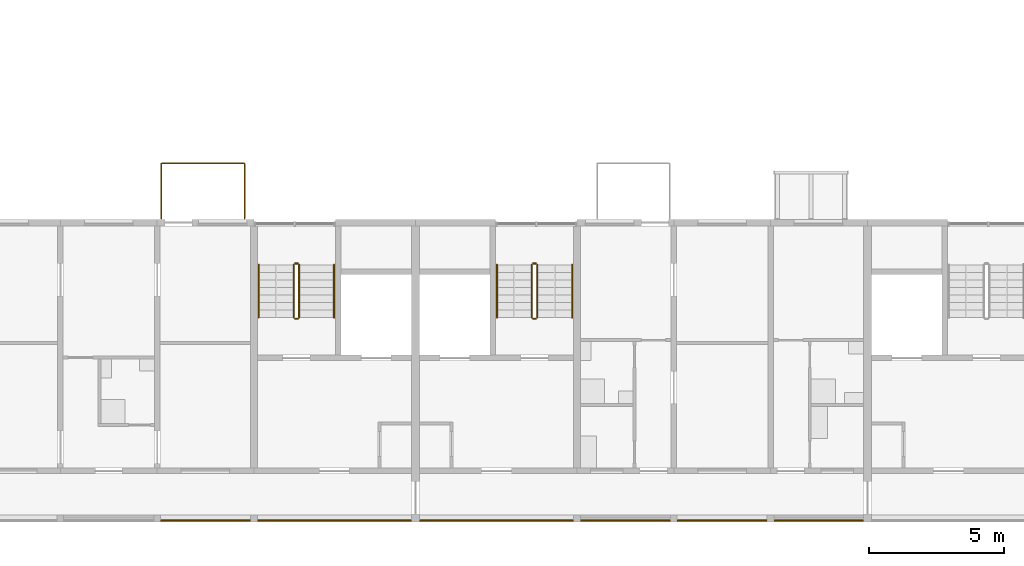
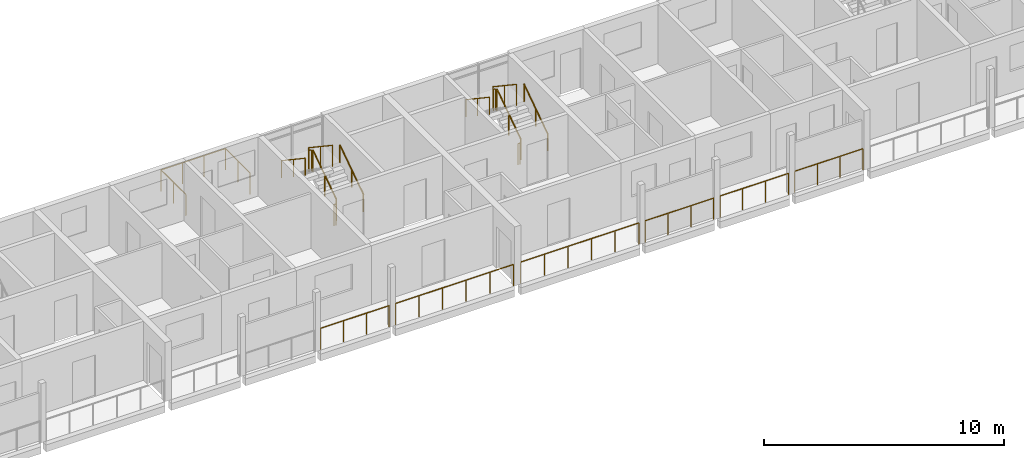
# One storey, part 88 of 94: 19 railings.
"""IFC4 building model written with IfcOpenShell, lengths in metres."""

from ifc_helpers import new_model, si_unit, direction, frame, origin, origin_2d, place, context, subcontext, project, spatial, circle, extrude, material, type_object, element, save


model = new_model("IFC4")

# Units and contexts
model_context = context("Model", 3, precision=1e-05, world=origin(), true_north=direction((0.0, 1.0)))
body_context = subcontext(model_context, "Body", "Model", "MODEL_VIEW")
ifc_project = project(units=[si_unit("LENGTHUNIT", "METRE"), si_unit("AREAUNIT", "SQUARE_METRE"), si_unit("VOLUMEUNIT", "CUBIC_METRE"), si_unit("PLANEANGLEUNIT", "RADIAN"), si_unit("MASSUNIT", "GRAM", prefix="KILO")], contexts=[model_context])

# Site, building, storey
site_placement = place(None, origin())
site = spatial("IfcSite", under=ifc_project, at=site_placement, CompositionType="ELEMENT")
building_placement = place(site_placement, origin())
building = spatial("IfcBuilding", under=site, at=building_placement, Name="Ridgestep Commons", CompositionType="ELEMENT")
storey_placement = place(building_placement, frame((0.0, 0.0, 24.0)))
storey = spatial("IfcBuildingStorey", under=building, at=storey_placement, Name="L08", CompositionType="ELEMENT", Elevation=24.0)

# Railings
ifc_material_1 = material(Name="Structural steel S355JR", Category="steel")
railing_type_1 = type_object("IfcRailingType", Name="Guard 1100", PredefinedType="GUARDRAIL", material=ifc_material_1)
railing_1_placement = place(storey_placement, frame((204.5458984375, 11.800048828125, 0.0)))
element("IfcRailing", 1, at=railing_1_placement, inside=storey, type_object=railing_type_1, Name="Gallery guard D 08.15", PredefinedType="GUARDRAIL", context=body_context, shape_type="SweptSolid", body=[
    extrude(circle(Radius=0.02392578125, at=origin_2d()), frame((0.0, 0.0, 1.076171875), z_axis=(1.0, 0.0, 0.0), x_axis=(0.0, 1.0, 0.0)), (0.0, 0.0, 1.0), 3.30810546875),
    extrude(circle(Radius=0.02099609375, at=origin_2d()), origin(), (0.0, 0.0, 1.0), 1.052001953125),
    extrude(circle(Radius=0.02099609375, at=origin_2d()), frame((1.102783203125, 0.0, 0.0)), (0.0, 0.0, 1.0), 1.052001953125),
    extrude(circle(Radius=0.02099609375, at=origin_2d()), frame((2.205322265625, 0.0, 0.0)), (0.0, 0.0, 1.0), 1.052001953125),
    extrude(circle(Radius=0.02099609375, at=origin_2d()), frame((3.30810546875, 0.0, 0.0)), (0.0, 0.0, 1.0), 1.052001953125),
])
for number, where, name in (
    (2, (208.14599609375, 11.800048828125, 0.0), "Gallery guard D 08.16"),
    (3, (214.1708984375, 11.800048828125, 0.0), "Gallery guard D 08.17"),
):
    element("IfcRailing", number, at=place(storey_placement, frame(where)), inside=storey, type_object=railing_type_1, Name=name, PredefinedType="GUARDRAIL", context=body_context, shape_type="SweptSolid", body=[
        extrude(circle(Radius=0.02392578125, at=origin_2d()), frame((0.0, 0.0, 1.076171875), z_axis=(1.0, 0.0, 0.0), x_axis=(0.0, 1.0, 0.0)), (0.0, 0.0, 1.0), 5.68310546875),
        extrude(circle(Radius=0.02099609375, at=origin_2d()), origin(), (0.0, 0.0, 1.0), 1.052001953125),
        extrude(circle(Radius=0.02099609375, at=origin_2d()), frame((1.13671875, 0.0, 0.0)), (0.0, 0.0, 1.0), 1.052001953125),
        extrude(circle(Radius=0.02099609375, at=origin_2d()), frame((2.273193359375, 0.0, 0.0)), (0.0, 0.0, 1.0), 1.052001953125),
        extrude(circle(Radius=0.02099609375, at=origin_2d()), frame((3.409912109375, 0.0, 0.0)), (0.0, 0.0, 1.0), 1.052001953125),
        extrude(circle(Radius=0.02099609375, at=origin_2d()), frame((4.54638671875, 0.0, 0.0)), (0.0, 0.0, 1.0), 1.052001953125),
        extrude(circle(Radius=0.02099609375, at=origin_2d()), frame((5.68310546875, 0.0, 0.0)), (0.0, 0.0, 1.0), 1.052001953125),
    ])
railing_2_placement = place(storey_placement, frame((220.14599609375, 11.800048828125, 0.0)))
element("IfcRailing", 4, at=railing_2_placement, inside=storey, type_object=railing_type_1, Name="Gallery guard D 08.18", PredefinedType="GUARDRAIL", context=body_context, shape_type="SweptSolid", body=[
    extrude(circle(Radius=0.02392578125, at=origin_2d()), frame((0.0, 0.0, 1.076171875), z_axis=(1.0, 0.0, 0.0), x_axis=(0.0, 1.0, 0.0)), (0.0, 0.0, 1.0), 3.30810546875),
    extrude(circle(Radius=0.02099609375, at=origin_2d()), origin(), (0.0, 0.0, 1.0), 1.052001953125),
    extrude(circle(Radius=0.02099609375, at=origin_2d()), frame((1.102783203125, 0.0, 0.0)), (0.0, 0.0, 1.0), 1.052001953125),
    extrude(circle(Radius=0.02099609375, at=origin_2d()), frame((2.205322265625, 0.0, 0.0)), (0.0, 0.0, 1.0), 1.052001953125),
    extrude(circle(Radius=0.02099609375, at=origin_2d()), frame((3.30810546875, 0.0, 0.0)), (0.0, 0.0, 1.0), 1.052001953125),
])
railing_3_placement = place(storey_placement, frame((223.74609375, 11.800048828125, 0.0)))
element("IfcRailing", 5, at=railing_3_placement, inside=storey, type_object=railing_type_1, Name="Gallery guard D 08.19", PredefinedType="GUARDRAIL", context=body_context, shape_type="SweptSolid", body=[
    extrude(circle(Radius=0.02392578125, at=origin_2d()), frame((0.0, 0.0, 1.076171875), z_axis=(1.0, 0.0, 0.0), x_axis=(0.0, 1.0, 0.0)), (0.0, 0.0, 1.0), 3.307861328125),
    extrude(circle(Radius=0.02099609375, at=origin_2d()), origin(), (0.0, 0.0, 1.0), 1.052001953125),
    extrude(circle(Radius=0.02099609375, at=origin_2d()), frame((1.1025390625, 0.0, 0.0)), (0.0, 0.0, 1.0), 1.052001953125),
    extrude(circle(Radius=0.02099609375, at=origin_2d()), frame((2.205322265625, 0.0, 0.0)), (0.0, 0.0, 1.0), 1.052001953125),
    extrude(circle(Radius=0.02099609375, at=origin_2d()), frame((3.307861328125, 0.0, 0.0)), (0.0, 0.0, 1.0), 1.052001953125),
])
railing_4_placement = place(storey_placement, frame((227.345947265625, 11.800048828125, 0.0)))
element("IfcRailing", 6, at=railing_4_placement, inside=storey, type_object=railing_type_1, Name="Gallery guard D 08.20", PredefinedType="GUARDRAIL", context=body_context, shape_type="SweptSolid", body=[
    extrude(circle(Radius=0.02392578125, at=origin_2d()), frame((0.0, 0.0, 1.076171875), z_axis=(1.0, 0.0, 0.0), x_axis=(0.0, 1.0, 0.0)), (0.0, 0.0, 1.0), 3.282958984375),
    extrude(circle(Radius=0.02099609375, at=origin_2d()), origin(), (0.0, 0.0, 1.0), 1.052001953125),
    extrude(circle(Radius=0.02099609375, at=origin_2d()), frame((1.09423828125, 0.0, 0.0)), (0.0, 0.0, 1.0), 1.052001953125),
    extrude(circle(Radius=0.02099609375, at=origin_2d()), frame((2.188720703125, 0.0, 0.0)), (0.0, 0.0, 1.0), 1.052001953125),
    extrude(circle(Radius=0.02099609375, at=origin_2d()), frame((3.282958984375, 0.0, 0.0)), (0.0, 0.0, 1.0), 1.052001953125),
])
ifc_material_2 = material(Name="Structural steel S355JR", Category="steel")
railing_type_2 = type_object("IfcRailingType", Name="Stair guard 1100", PredefinedType="GUARDRAIL", material=ifc_material_2)
railing_5_placement = place(storey_placement, frame((209.675048828125, 19.35009765625, 0.1875)))
element("IfcRailing", 7, at=railing_5_placement, inside=storey, type_object=railing_type_2, Name="L08 D4C stair guard 1", PredefinedType="GUARDRAIL", context=body_context, shape_type="SweptSolid", body=[
    extrude(circle(Radius=0.02392578125, at=origin_2d()), frame((0.0, 0.0, 1.076171875), z_axis=(0.0, 0.830902050051, 0.556418712142), x_axis=(-1.0, 0.0, 0.0)), (0.0, 0.0, 1.0), 2.35888671875),
    extrude(circle(Radius=0.02099609375, at=origin_2d()), origin(), (0.0, 0.0, 1.0), 1.052001953125),
    extrude(circle(Radius=0.02099609375, at=origin_2d()), frame((0.0, 0.97998046875, 0.65625)), (0.0, 0.0, 1.0), 1.052001953125),
    extrude(circle(Radius=0.02099609375, at=origin_2d()), frame((0.0, 1.9599609375, 1.3125)), (0.0, 0.0, 1.0), 1.052001953125),
])
railing_6_placement = place(storey_placement, frame((209.625, 21.360107421875, 1.5)))
element("IfcRailing", 8, at=railing_6_placement, inside=storey, type_object=railing_type_2, Name="L08 D4C stair guard 2", PredefinedType="GUARDRAIL", context=body_context, shape_type="SweptSolid", body=[
    extrude(circle(Radius=0.02392578125, at=origin_2d()), frame((0.0, 0.0, 1.076171875), z_axis=(-1.0, 0.0, 0.0), x_axis=(0.0, -1.0, 0.0)), (0.0, 0.0, 1.0), 0.10009765625),
    extrude(circle(Radius=0.02099609375, at=origin_2d()), origin(), (0.0, 0.0, 1.0), 1.052001953125),
    extrude(circle(Radius=0.02099609375, at=origin_2d()), frame((-0.10009765625, 0.0, 0.0)), (0.0, 0.0, 1.0), 1.052001953125),
])
railing_7_placement = place(storey_placement, frame((209.47509765625, 21.31005859375, 1.6875)))
element("IfcRailing", 9, at=railing_7_placement, inside=storey, type_object=railing_type_2, Name="L08 D4C stair guard 3", PredefinedType="GUARDRAIL", context=body_context, shape_type="SweptSolid", body=[
    extrude(circle(Radius=0.02392578125, at=origin_2d()), frame((0.0, 0.0, 1.076171875), z_axis=(0.0, -0.830902050051, 0.556418712142), x_axis=(1.0, 0.0, 0.0)), (0.0, 0.0, 1.0), 2.35888671875),
    extrude(circle(Radius=0.02099609375, at=origin_2d()), origin(), (0.0, 0.0, 1.0), 1.052001953125),
    extrude(circle(Radius=0.02099609375, at=origin_2d()), frame((0.0, -0.97998046875, 0.65625)), (0.0, 0.0, 1.0), 1.052001953125),
    extrude(circle(Radius=0.02099609375, at=origin_2d()), frame((0.0, -1.9599609375, 1.3125)), (0.0, 0.0, 1.0), 1.052001953125),
])
railing_8_placement = place(storey_placement, frame((209.625, 19.300048828125, 0.0)))
element("IfcRailing", 10, at=railing_8_placement, inside=storey, type_object=railing_type_2, Name="L08 D4C stair guard 4", PredefinedType="GUARDRAIL", context=body_context, shape_type="SweptSolid", body=[
    extrude(circle(Radius=0.02392578125, at=origin_2d()), frame((0.0, 0.0, 1.076171875), z_axis=(-1.0, 0.0, 0.0), x_axis=(0.0, -1.0, 0.0)), (0.0, 0.0, 1.0), 0.10009765625),
    extrude(circle(Radius=0.02099609375, at=origin_2d()), origin(), (0.0, 0.0, 1.0), 1.052001953125),
    extrude(circle(Radius=0.02099609375, at=origin_2d()), frame((-0.10009765625, 0.0, 0.0)), (0.0, 0.0, 1.0), 1.052001953125),
])
railing_9_placement = place(storey_placement, frame((218.52490234375, 19.35009765625, 0.1875)))
element("IfcRailing", 11, at=railing_9_placement, inside=storey, type_object=railing_type_2, Name="L08 D5C stair guard 1", PredefinedType="GUARDRAIL", context=body_context, shape_type="SweptSolid", body=[
    extrude(circle(Radius=0.02392578125, at=origin_2d()), frame((0.0, 0.0, 1.076171875), z_axis=(0.0, 0.830902050051, 0.556418712142), x_axis=(-1.0, 0.0, 0.0)), (0.0, 0.0, 1.0), 2.35888671875),
    extrude(circle(Radius=0.02099609375, at=origin_2d()), origin(), (0.0, 0.0, 1.0), 1.052001953125),
    extrude(circle(Radius=0.02099609375, at=origin_2d()), frame((0.0, 0.97998046875, 0.65625)), (0.0, 0.0, 1.0), 1.052001953125),
    extrude(circle(Radius=0.02099609375, at=origin_2d()), frame((0.0, 1.9599609375, 1.3125)), (0.0, 0.0, 1.0), 1.052001953125),
])
railing_10_placement = place(storey_placement, frame((218.47509765625, 21.360107421875, 1.5)))
element("IfcRailing", 12, at=railing_10_placement, inside=storey, type_object=railing_type_2, Name="L08 D5C stair guard 2", PredefinedType="GUARDRAIL", context=body_context, shape_type="SweptSolid", body=[
    extrude(circle(Radius=0.02392578125, at=origin_2d()), frame((0.0, 0.0, 1.076171875), z_axis=(-1.0, 0.0, 0.0), x_axis=(0.0, -1.0, 0.0)), (0.0, 0.0, 1.0), 0.10009765625),
    extrude(circle(Radius=0.02099609375, at=origin_2d()), origin(), (0.0, 0.0, 1.0), 1.052001953125),
    extrude(circle(Radius=0.02099609375, at=origin_2d()), frame((-0.10009765625, 0.0, 0.0)), (0.0, 0.0, 1.0), 1.052001953125),
])
railing_11_placement = place(storey_placement, frame((218.324951171875, 21.31005859375, 1.6875)))
element("IfcRailing", 13, at=railing_11_placement, inside=storey, type_object=railing_type_2, Name="L08 D5C stair guard 3", PredefinedType="GUARDRAIL", context=body_context, shape_type="SweptSolid", body=[
    extrude(circle(Radius=0.02392578125, at=origin_2d()), frame((0.0, 0.0, 1.076171875), z_axis=(0.0, -0.830902050051, 0.556418712142), x_axis=(1.0, 0.0, 0.0)), (0.0, 0.0, 1.0), 2.35888671875),
    extrude(circle(Radius=0.02099609375, at=origin_2d()), origin(), (0.0, 0.0, 1.0), 1.052001953125),
    extrude(circle(Radius=0.02099609375, at=origin_2d()), frame((0.0, -0.97998046875, 0.65625)), (0.0, 0.0, 1.0), 1.052001953125),
    extrude(circle(Radius=0.02099609375, at=origin_2d()), frame((0.0, -1.9599609375, 1.3125)), (0.0, 0.0, 1.0), 1.052001953125),
])
railing_12_placement = place(storey_placement, frame((218.47509765625, 19.300048828125, 0.0)))
element("IfcRailing", 14, at=railing_12_placement, inside=storey, type_object=railing_type_2, Name="L08 D5C stair guard 4", PredefinedType="GUARDRAIL", context=body_context, shape_type="SweptSolid", body=[
    extrude(circle(Radius=0.02392578125, at=origin_2d()), frame((0.0, 0.0, 1.076171875), z_axis=(-1.0, 0.0, 0.0), x_axis=(0.0, -1.0, 0.0)), (0.0, 0.0, 1.0), 0.10009765625),
    extrude(circle(Radius=0.02099609375, at=origin_2d()), origin(), (0.0, 0.0, 1.0), 1.052001953125),
    extrude(circle(Radius=0.02099609375, at=origin_2d()), frame((-0.10009765625, 0.0, 0.0)), (0.0, 0.0, 1.0), 1.052001953125),
])
ifc_material_3 = material(Name="Structural steel S355JR", Category="steel")
railing_type_3 = type_object("IfcRailingType", Name="Stair handrail 900", PredefinedType="HANDRAIL", material=ifc_material_3)
railing_13_placement = place(storey_placement, frame((210.97509765625, 19.35009765625, 0.1875)))
element("IfcRailing", 15, at=railing_13_placement, inside=storey, type_object=railing_type_3, Name="L08 D4C stair handrail 1", PredefinedType="HANDRAIL", context=body_context, shape_type="SweptSolid", body=[
    extrude(circle(Radius=0.02392578125, at=origin_2d()), frame((0.0, 0.0, 0.8759765625), z_axis=(0.0, 0.830902050051, 0.556418712142), x_axis=(-1.0, 0.0, 0.0)), (0.0, 0.0, 1.0), 2.35888671875),
    extrude(circle(Radius=0.02099609375, at=origin_2d()), origin(), (0.0, 0.0, 1.0), 0.851806640625),
    extrude(circle(Radius=0.02099609375, at=origin_2d()), frame((0.0, 0.97998046875, 0.65625)), (0.0, 0.0, 1.0), 0.851806640625),
    extrude(circle(Radius=0.02099609375, at=origin_2d()), frame((0.0, 1.9599609375, 1.3125)), (0.0, 0.0, 1.0), 0.851806640625),
])
railing_14_placement = place(storey_placement, frame((208.175048828125, 21.31005859375, 1.6875)))
element("IfcRailing", 16, at=railing_14_placement, inside=storey, type_object=railing_type_3, Name="L08 D4C stair handrail 2", PredefinedType="HANDRAIL", context=body_context, shape_type="SweptSolid", body=[
    extrude(circle(Radius=0.02392578125, at=origin_2d()), frame((0.0, 0.0, 0.8759765625), z_axis=(0.0, -0.830902050051, 0.556418712142), x_axis=(1.0, 0.0, 0.0)), (0.0, 0.0, 1.0), 2.35888671875),
    extrude(circle(Radius=0.02099609375, at=origin_2d()), origin(), (0.0, 0.0, 1.0), 0.851806640625),
    extrude(circle(Radius=0.02099609375, at=origin_2d()), frame((0.0, -0.97998046875, 0.65625)), (0.0, 0.0, 1.0), 0.851806640625),
    extrude(circle(Radius=0.02099609375, at=origin_2d()), frame((0.0, -1.9599609375, 1.3125)), (0.0, 0.0, 1.0), 0.851806640625),
])
railing_15_placement = place(storey_placement, frame((219.824951171875, 19.35009765625, 0.1875)))
element("IfcRailing", 17, at=railing_15_placement, inside=storey, type_object=railing_type_3, Name="L08 D5C stair handrail 1", PredefinedType="HANDRAIL", context=body_context, shape_type="SweptSolid", body=[
    extrude(circle(Radius=0.02392578125, at=origin_2d()), frame((0.0, 0.0, 0.8759765625), z_axis=(0.0, 0.830902050051, 0.556418712142), x_axis=(-1.0, 0.0, 0.0)), (0.0, 0.0, 1.0), 2.35888671875),
    extrude(circle(Radius=0.02099609375, at=origin_2d()), origin(), (0.0, 0.0, 1.0), 0.851806640625),
    extrude(circle(Radius=0.02099609375, at=origin_2d()), frame((0.0, 0.97998046875, 0.65625)), (0.0, 0.0, 1.0), 0.851806640625),
    extrude(circle(Radius=0.02099609375, at=origin_2d()), frame((0.0, 1.9599609375, 1.3125)), (0.0, 0.0, 1.0), 0.851806640625),
])
railing_16_placement = place(storey_placement, frame((217.02490234375, 21.31005859375, 1.6875)))
element("IfcRailing", 18, at=railing_16_placement, inside=storey, type_object=railing_type_3, Name="L08 D5C stair handrail 2", PredefinedType="HANDRAIL", context=body_context, shape_type="SweptSolid", body=[
    extrude(circle(Radius=0.02392578125, at=origin_2d()), frame((0.0, 0.0, 0.8759765625), z_axis=(0.0, -0.830902050051, 0.556418712142), x_axis=(1.0, 0.0, 0.0)), (0.0, 0.0, 1.0), 2.35888671875),
    extrude(circle(Radius=0.02099609375, at=origin_2d()), origin(), (0.0, 0.0, 1.0), 0.851806640625),
    extrude(circle(Radius=0.02099609375, at=origin_2d()), frame((0.0, -0.97998046875, 0.65625)), (0.0, 0.0, 1.0), 0.851806640625),
    extrude(circle(Radius=0.02099609375, at=origin_2d()), frame((0.0, -1.9599609375, 1.3125)), (0.0, 0.0, 1.0), 0.851806640625),
])
ifc_material_4 = material(Name="Weathering steel S355J2W", Category="steel")
railing_type_4 = type_object("IfcRailingType", Name="Tray guard 1100", PredefinedType="GUARDRAIL", material=ifc_material_4)
railing_17_placement = place(storey_placement, frame((204.551025390625, 23.02099609375, 0.0)))
element("IfcRailing", 19, at=railing_17_placement, inside=storey, type_object=railing_type_4, Name="Tray guard D4T3-08", PredefinedType="GUARDRAIL", context=body_context, shape_type="SweptSolid", body=[
    extrude(circle(Radius=0.02392578125, at=origin_2d()), frame((0.0, 0.0, 1.076171875), z_axis=(0.0, 1.0, 0.0), x_axis=(-1.0, 0.0, 0.0)), (0.0, 0.0, 1.0), 2.05810546875),
    extrude(circle(Radius=0.02392578125, at=origin_2d()), frame((0.0, 2.05810546875, 1.076171875), z_axis=(1.0, 0.0, 0.0), x_axis=(0.0, 1.0, 0.0)), (0.0, 0.0, 1.0), 3.097900390625),
    extrude(circle(Radius=0.02392578125, at=origin_2d()), frame((3.097900390625, 2.05810546875, 1.076171875), z_axis=(0.0, -1.0, 0.0), x_axis=(1.0, 0.0, 0.0)), (0.0, 0.0, 1.0), 2.05810546875),
    extrude(circle(Radius=0.02099609375, at=origin_2d()), origin(), (0.0, 0.0, 1.0), 1.052001953125),
    extrude(circle(Radius=0.02099609375, at=origin_2d()), frame((0.0, 1.029052734375, 0.0)), (0.0, 0.0, 1.0), 1.052001953125),
    extrude(circle(Radius=0.02099609375, at=origin_2d()), frame((0.0, 2.05810546875, 0.0)), (0.0, 0.0, 1.0), 1.052001953125),
    extrude(circle(Radius=0.02099609375, at=origin_2d()), frame((1.03271484375, 2.05810546875, 0.0)), (0.0, 0.0, 1.0), 1.052001953125),
    extrude(circle(Radius=0.02099609375, at=origin_2d()), frame((2.065185546875, 2.05810546875, 0.0)), (0.0, 0.0, 1.0), 1.052001953125),
    extrude(circle(Radius=0.02099609375, at=origin_2d()), frame((3.097900390625, 2.05810546875, 0.0)), (0.0, 0.0, 1.0), 1.052001953125),
    extrude(circle(Radius=0.02099609375, at=origin_2d()), frame((3.097900390625, 1.029052734375, 0.0)), (0.0, 0.0, 1.0), 1.052001953125),
    extrude(circle(Radius=0.02099609375, at=origin_2d()), frame((3.097900390625, 0.0, 0.0)), (0.0, 0.0, 1.0), 1.052001953125),
])

save(model, "model.ifc")
